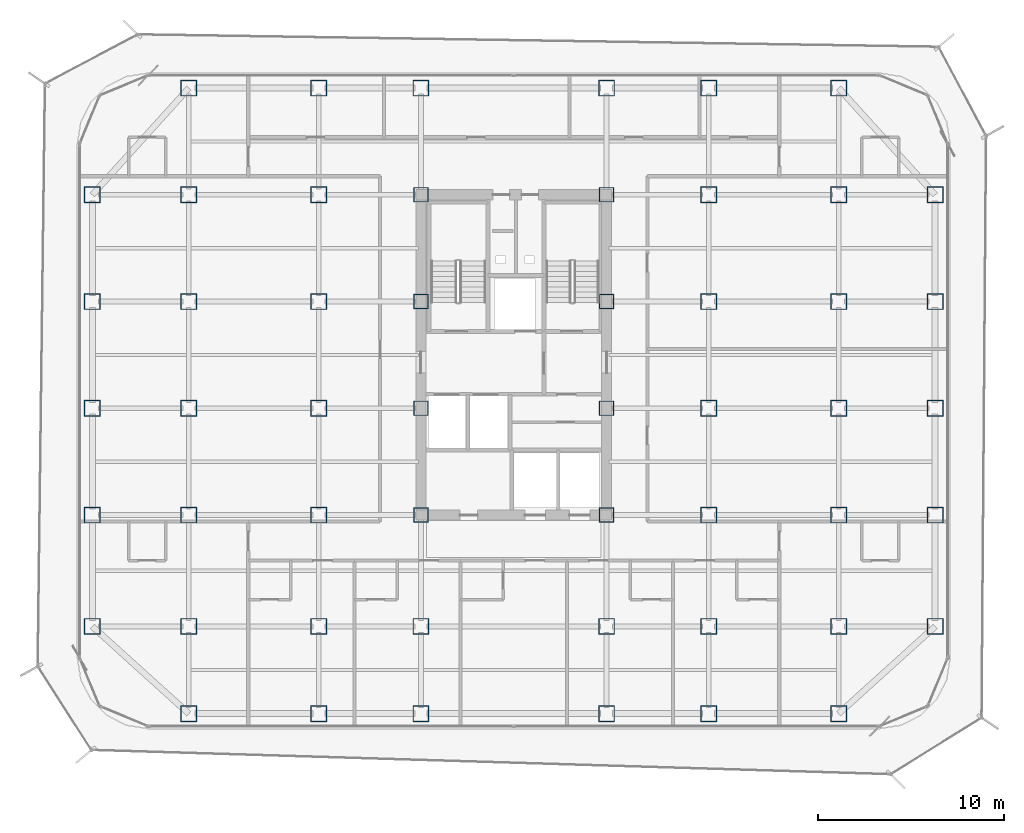
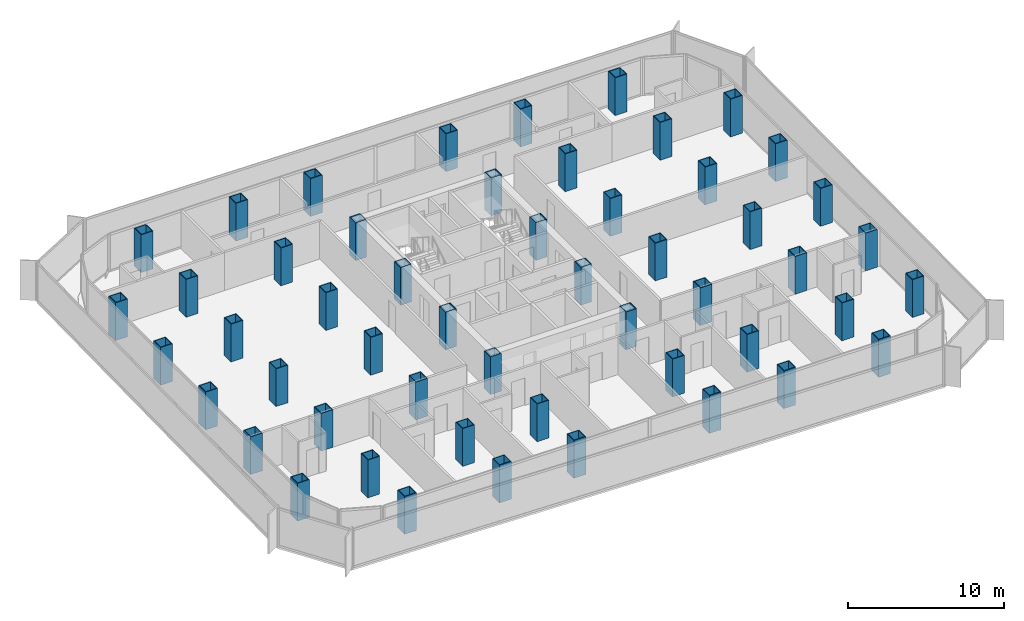
# One storey, part 1 of 21: 52 columns.
"""IFC4 building model written with IfcOpenShell, lengths in metres."""

from ifc_helpers import new_model, si_unit, direction, frame, origin, origin_2d, place, context, subcontext, project, spatial, hollow_rectangle, extrude, source, transform, mapped, material, material_profile, profile_set, type_object, element, save


model = new_model("IFC4")

# Units and contexts
model_context = context("Model", 3, precision=1e-05, world=origin(), true_north=direction((0.0, 1.0)))
body_context = subcontext(model_context, "Body", "Model", "MODEL_VIEW")
ifc_project = project(units=[si_unit("LENGTHUNIT", "METRE"), si_unit("AREAUNIT", "SQUARE_METRE"), si_unit("VOLUMEUNIT", "CUBIC_METRE"), si_unit("PLANEANGLEUNIT", "RADIAN"), si_unit("MASSUNIT", "GRAM", prefix="KILO")], contexts=[model_context])

# Site, building, storey
site_placement = place(None, origin())
site = spatial("IfcSite", under=ifc_project, at=site_placement, CompositionType="ELEMENT")
building_placement = place(site_placement, origin())
building = spatial("IfcBuilding", under=site, at=building_placement, Name="Kolveth Station Tower", CompositionType="ELEMENT")
storey_placement = place(building_placement, frame((0.0, 0.0, 99.10009765625)))
storey = spatial("IfcBuildingStorey", under=building, at=storey_placement, Name="L26", CompositionType="ELEMENT", Elevation=99.10009765625)

# Columns
ifc_material_1 = material(Name="Steel S460", Category="steel")
ifc_material_profile_1 = material_profile(ifc_material_1, hollow_rectangle(XDim=0.8798828125, YDim=0.8798828125, WallThickness=0.050048828125, at=origin_2d()), Name="BOX880x880x50")
ifc_profile_set_1 = profile_set([ifc_material_profile_1], Name="Steel S460")
column_type_1 = type_object("IfcColumnType", Name="Col_C4", PredefinedType="COLUMN", material=ifc_profile_set_1)
shared_shape_1 = source(origin(), body_context, "Body", "SweptSolid", [
    extrude(hollow_rectangle(XDim=0.8798828125, YDim=0.8798828125, WallThickness=0.050048828125, at=origin_2d()), origin(), (0.0, 0.0, 1.0), 2.949951171875),
])
for number, where, z_axis, x_axis, name in (
    (1, (6.0, 0.800048828125, 0.0), (0.0, 0.0, 1.0), (1.0, 0.0, 0.0), "L26 Tower Column S-X60"),
    (2, (6.0, 34.5, 0.0), (0.0, 0.0, 1.0), (1.0, 0.0, 0.0), "L26 Tower Column N-X60"),
    (3, (13.0, 0.800048828125, 0.0), (0.0, 0.0, 1.0), (1.0, 0.0, 0.0), "L26 Tower Column S-X130"),
    (4, (13.0, 34.5, 0.0), (0.0, 0.0, 1.0), (1.0, 0.0, 0.0), "L26 Tower Column N-X130"),
    (5, (18.5, 0.800048828125, 0.0), (0.0, 0.0, 1.0), (1.0, 0.0, 0.0), "L26 Tower Column S-X185"),
    (6, (18.5, 34.5, 0.0), (0.0, 0.0, 1.0), (1.0, 0.0, 0.0), "L26 Tower Column N-X185"),
    (7, (28.5, 0.800048828125, 0.0), (0.0, 0.0, 1.0), (1.0, 0.0, 0.0), "L26 Tower Column S-X285"),
    (8, (28.5, 34.5, 0.0), (0.0, 0.0, 1.0), (1.0, 0.0, 0.0), "L26 Tower Column N-X285"),
    (9, (34.0, 0.800048828125, 0.0), (0.0, 0.0, 1.0), (1.0, 0.0, 0.0), "L26 Tower Column S-X340"),
    (10, (34.0, 34.5, 0.0), (0.0, 0.0, 1.0), (1.0, 0.0, 0.0), "L26 Tower Column N-X340"),
    (11, (41.0, 0.800048828125, 0.0), (0.0, 0.0, 1.0), (1.0, 0.0, 0.0), "L26 Tower Column S-X410"),
    (12, (41.0, 34.5, 0.0), (0.0, 0.0, 1.0), (1.0, 0.0, 0.0), "L26 Tower Column N-X410"),
    (13, (0.800048828125, 5.5, 0.0), (0.0, 0.0, 1.0), (1.0, 0.0, 0.0), "L26 Tower Column W-Y55"),
    (14, (46.199951171875, 5.5, 0.0), (0.0, 0.0, 1.0), (1.0, 0.0, 0.0), "L26 Tower Column E-Y55"),
    (15, (0.800048828125, 11.5, 0.0), (0.0, 0.0, 1.0), (1.0, 0.0, 0.0), "L26 Tower Column W-Y115"),
    (16, (46.199951171875, 11.5, 0.0), (0.0, 0.0, 1.0), (1.0, 0.0, 0.0), "L26 Tower Column E-Y115"),
    (17, (0.800048828125, 17.25, 0.0), (0.0, 0.0, 1.0), (1.0, 0.0, 0.0), "L26 Tower Column W-Y172"),
    (18, (46.199951171875, 17.25, 0.0), (0.0, 0.0, 1.0), (1.0, 0.0, 0.0), "L26 Tower Column E-Y172"),
    (19, (0.800048828125, 23.0, 0.0), (0.0, 0.0, 1.0), (1.0, 0.0, 0.0), "L26 Tower Column W-Y230"),
    (20, (46.199951171875, 23.0, 0.0), (0.0, 0.0, 1.0), (1.0, 0.0, 0.0), "L26 Tower Column E-Y230"),
    (21, (0.800048828125, 28.75, 0.0), (0.0, 0.0, 1.0), (1.0, 0.0, 0.0), "L26 Tower Column W-Y287"),
    (22, (46.199951171875, 28.75, 0.0), (0.0, 0.0, 1.0), (1.0, 0.0, 0.0), "L26 Tower Column E-Y287"),
    (23, (6.0, 5.5, 0.0), (0.0, 0.0, 1.0), (1.0, 0.0, 0.0), "L26 Tower Column G-60-55"),
    (24, (6.0, 11.5, 0.0), (0.0, 0.0, 1.0), (1.0, 0.0, 0.0), "L26 Tower Column G-60-115"),
    (25, (6.0, 17.25, 0.0), (0.0, 0.0, 1.0), (1.0, 0.0, 0.0), "L26 Tower Column G-60-172"),
    (26, (6.0, 23.0, 0.0), (0.0, 0.0, 1.0), (1.0, 0.0, 0.0), "L26 Tower Column G-60-230"),
    (27, (6.0, 28.75, 0.0), (0.0, 0.0, 1.0), (1.0, 0.0, 0.0), "L26 Tower Column G-60-287"),
    (28, (13.0, 5.5, 0.0), (0.0, 0.0, 1.0), (1.0, 0.0, 0.0), "L26 Tower Column G-130-55"),
    (29, (13.0, 11.5, 0.0), (0.0, 0.0, 1.0), (1.0, 0.0, 0.0), "L26 Tower Column G-130-115"),
    (30, (13.0, 17.25, 0.0), (0.0, 0.0, 1.0), (1.0, 0.0, 0.0), "L26 Tower Column G-130-172"),
    (31, (13.0, 23.0, 0.0), (0.0, 0.0, 1.0), (1.0, 0.0, 0.0), "L26 Tower Column G-130-230"),
    (32, (13.0, 28.75, 0.0), (0.0, 0.0, 1.0), (1.0, 0.0, 0.0), "L26 Tower Column G-130-287"),
    (33, (18.5, 5.5, 0.0), (0.0, 0.0, 1.0), (1.0, 0.0, 0.0), "L26 Tower Column G-185-55"),
    (34, (28.5, 5.5, 0.0), (0.0, 0.0, 1.0), (1.0, 0.0, 0.0), "L26 Tower Column G-285-55"),
    (35, (34.0, 5.5, 0.0), (0.0, 0.0, 1.0), (1.0, 0.0, 0.0), "L26 Tower Column G-340-55"),
    (36, (34.0, 11.5, 0.0), (0.0, 0.0, 1.0), (1.0, 0.0, 0.0), "L26 Tower Column G-340-115"),
    (37, (34.0, 17.25, 0.0), (0.0, 0.0, 1.0), (1.0, 0.0, 0.0), "L26 Tower Column G-340-172"),
    (38, (34.0, 23.0, 0.0), (0.0, 0.0, 1.0), (1.0, 0.0, 0.0), "L26 Tower Column G-340-230"),
    (39, (34.0, 28.75, 0.0), (0.0, 0.0, 1.0), (1.0, 0.0, 0.0), "L26 Tower Column G-340-287"),
    (40, (41.0, 5.5, 0.0), (0.0, 0.0, 1.0), (1.0, 0.0, 0.0), "L26 Tower Column G-410-55"),
    (41, (41.0, 11.5, 0.0), (0.0, 0.0, 1.0), (1.0, 0.0, 0.0), "L26 Tower Column G-410-115"),
    (42, (41.0, 17.25, 0.0), (0.0, 0.0, 1.0), (1.0, 0.0, 0.0), "L26 Tower Column G-410-172"),
    (43, (41.0, 23.0, 0.0), (0.0, 0.0, 1.0), (1.0, 0.0, 0.0), "L26 Tower Column G-410-230"),
    (44, (41.0, 28.75, 0.0), (0.0, 0.0, 1.0), (1.0, 0.0, 0.0), "L26 Tower Column G-410-287"),
):
    element("IfcColumn", number, at=place(storey_placement, frame(where, z_axis=z_axis, x_axis=x_axis)), inside=storey, type_object=column_type_1, Name=name, PredefinedType="COLUMN", context=body_context, shape_type="MappedRepresentation", body=[
        mapped(shared_shape_1, transform((0.0, 0.0, 0.0), x_axis=(1.0, 0.0, 0.0), y_axis=(0.0, 1.0, 0.0), z_axis=(0.0, 0.0, 1.0), scale=1.0)),
    ])
ifc_material_2 = material(Name="Steel S355", Category="steel")
ifc_material_profile_2 = material_profile(ifc_material_2, hollow_rectangle(XDim=0.800048828125, YDim=0.800048828125, WallThickness=0.044921875, at=origin_2d()), Name="BOX800x800x45")
ifc_profile_set_2 = profile_set([ifc_material_profile_2], Name="Steel S355")
column_type_2 = type_object("IfcColumnType", Name="Col_C5", PredefinedType="COLUMN", material=ifc_profile_set_2)
shared_shape_2 = source(origin(), body_context, "Body", "SweptSolid", [
    extrude(hollow_rectangle(XDim=0.800048828125, YDim=0.800048828125, WallThickness=0.044921875, at=origin_2d()), origin(), (0.0, 0.0, 1.0), 2.949951171875),
])
for number, where, z_axis, x_axis, name in (
    (45, (18.5, 11.5, 0.0), (0.0, 0.0, 1.0), (1.0, 0.0, 0.0), "L26 Tower Column G-185-115"),
    (46, (18.5, 17.25, 0.0), (0.0, 0.0, 1.0), (1.0, 0.0, 0.0), "L26 Tower Column G-185-172"),
    (47, (18.5, 23.0, 0.0), (0.0, 0.0, 1.0), (1.0, 0.0, 0.0), "L26 Tower Column G-185-230"),
    (48, (18.5, 28.75, 0.0), (0.0, 0.0, 1.0), (1.0, 0.0, 0.0), "L26 Tower Column G-185-287"),
    (49, (28.5, 11.5, 0.0), (0.0, 0.0, 1.0), (1.0, 0.0, 0.0), "L26 Tower Column G-285-115"),
    (50, (28.5, 17.25, 0.0), (0.0, 0.0, 1.0), (1.0, 0.0, 0.0), "L26 Tower Column G-285-172"),
    (51, (28.5, 23.0, 0.0), (0.0, 0.0, 1.0), (1.0, 0.0, 0.0), "L26 Tower Column G-285-230"),
    (52, (28.5, 28.75, 0.0), (0.0, 0.0, 1.0), (1.0, 0.0, 0.0), "L26 Tower Column G-285-287"),
):
    element("IfcColumn", number, at=place(storey_placement, frame(where, z_axis=z_axis, x_axis=x_axis)), inside=storey, type_object=column_type_2, Name=name, PredefinedType="COLUMN", context=body_context, shape_type="MappedRepresentation", body=[
        mapped(shared_shape_2, transform((0.0, 0.0, 0.0), x_axis=(1.0, 0.0, 0.0), y_axis=(0.0, 1.0, 0.0), z_axis=(0.0, 0.0, 1.0), scale=1.0)),
    ])

save(model, "model.ifc")
